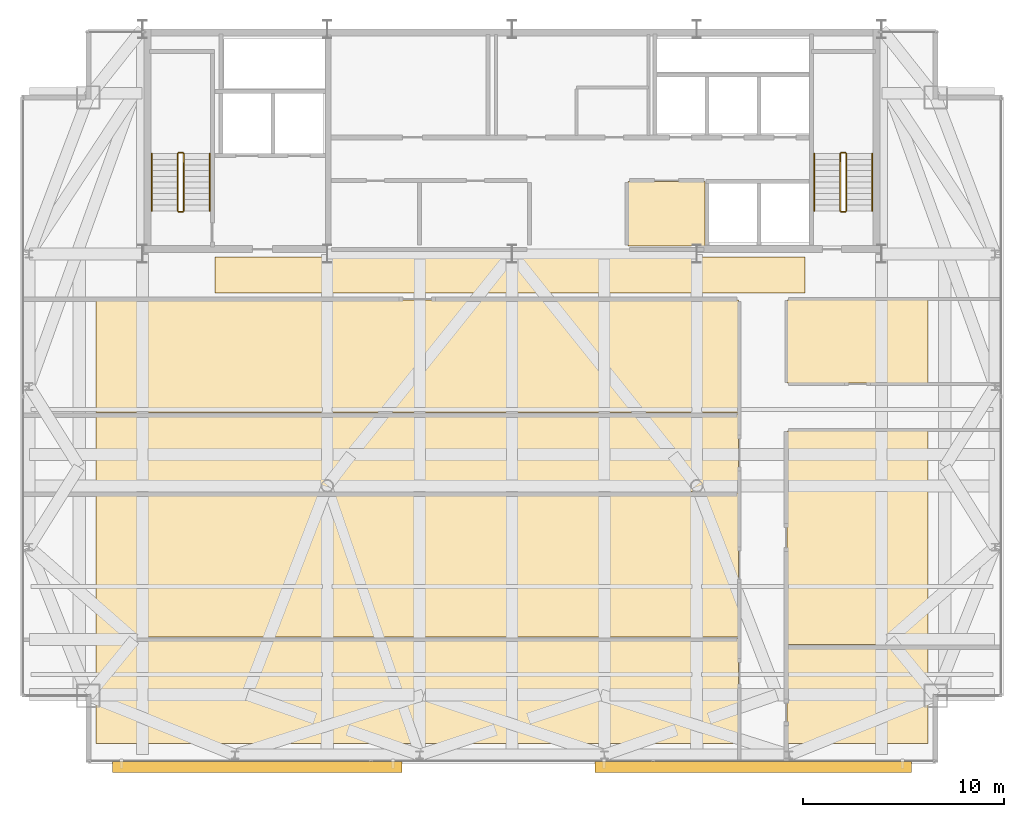
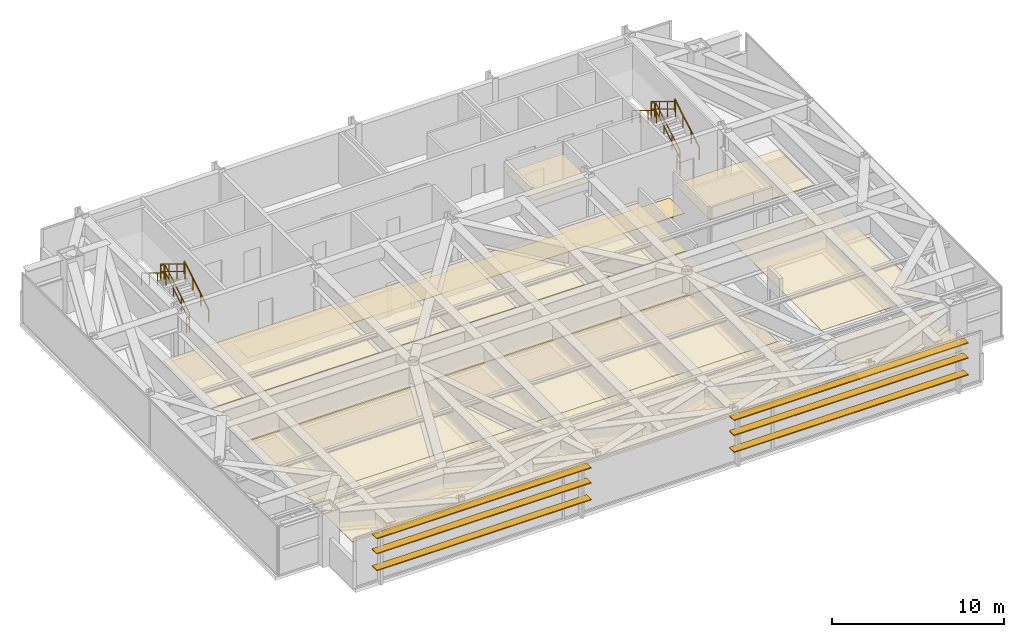
# One storey, part 23 of 23: 12 railings, 9 coverings, 6 shading devices.
"""IFC4 building model written with IfcOpenShell, lengths in metres."""

from ifc_helpers import new_model, si_unit, direction, frame, origin, origin_2d, place, context, subcontext, project, spatial, polyline, rectangle, outline, extrude, source, transform, mapped, material, layer, layer_set, type_object, type_shapes, element, save


model = new_model("IFC4")

# Units and contexts
model_context = context("Model", 3, precision=1e-05, world=origin(), true_north=direction((0.0, 1.0)))
body_context = subcontext(model_context, "Body", "Model", "MODEL_VIEW")
ifc_project = project(units=[si_unit("LENGTHUNIT", "METRE"), si_unit("AREAUNIT", "SQUARE_METRE"), si_unit("VOLUMEUNIT", "CUBIC_METRE"), si_unit("PLANEANGLEUNIT", "RADIAN"), si_unit("MASSUNIT", "GRAM", prefix="KILO")], contexts=[model_context])

# Site, building, storey
site_placement = place(None, origin())
site = spatial("IfcSite", under=ifc_project, at=site_placement, CompositionType="ELEMENT")
building_placement = place(site_placement, origin())
building = spatial("IfcBuilding", under=site, at=building_placement, Name="Varnel Quay Broadcast Tower", CompositionType="ELEMENT")
storey_placement = place(building_placement, frame((0.0, 0.0, 254.60009765625)))
storey = spatial("IfcBuildingStorey", under=building, at=storey_placement, Name="L63", CompositionType="ELEMENT", Elevation=254.60009765625)

# Coverings
ifc_material_1 = material(Name="Micro-Perforated Acoustic Ceiling Tile")
ifc_layer_1 = layer(ifc_material_1, 0.0400390625, Name="Micro-Perforated Acoustic Ceiling Tile")
ifc_layer_set_1 = layer_set([ifc_layer_1], Name="Micro-Perforated Acoustic Ceiling Tile")
covering_type_1 = type_object("IfcCoveringType", Name="Cov_AcousticCeiling", PredefinedType="CEILING", material=ifc_layer_set_1)
covering_1_placement = place(storey_placement, frame((0.0, 0.0, 2.579833984375)))
element("IfcCovering", 1, at=covering_1_placement, inside=storey, type_object=covering_type_1, Name="L63 Electrical Sub-Distribution Closet Acoustic Ceiling", PredefinedType="CEILING", context=body_context, shape_type="SweptSolid", body=[
    extrude(outline(polyline([(39.784912109375, 35.985107421875), (43.614990234375, 35.985107421875), (43.614990234375, 39.215087890625), (39.784912109375, 39.215087890625), (39.784912109375, 35.985107421875)])), origin(), (0.0, 0.0, 1.0), 0.0400390625),
])
covering_2_placement = place(storey_placement, frame((0.0, 0.0, 2.579833984375)))
element("IfcCovering", 2, at=covering_2_placement, inside=storey, type_object=covering_type_1, Name="L63 Broadcast Seminar Room 1 Acoustic Ceiling", PredefinedType="CEILING", context=body_context, shape_type="SweptSolid", body=[
    extrude(outline(polyline([(13.284912109375, 11.22509765625), (45.27490234375, 11.22509765625), (45.27490234375, 16.455078125), (13.284912109375, 16.455078125), (13.284912109375, 11.22509765625)])), origin(), (0.0, 0.0, 1.0), 0.0400390625),
])
covering_3_placement = place(storey_placement, frame((0.0, 0.0, 2.094970703125)))
element("IfcCovering", 3, at=covering_3_placement, inside=storey, type_object=covering_type_1, Name="L63 Podcast Recording Studio 2 Acoustic Ceiling", PredefinedType="CEILING", context=body_context, shape_type="SweptSolid", body=[
    extrude(outline(polyline([(13.284912109375, 16.52490234375), (45.27490234375, 16.52490234375), (45.27490234375, 23.695068359375), (13.284912109375, 23.695068359375), (13.284912109375, 16.52490234375)])), origin(), (0.0, 0.0, 1.0), 0.0400390625),
])
covering_4_placement = place(storey_placement, frame((0.0, 0.0, 2.094970703125)))
element("IfcCovering", 4, at=covering_4_placement, inside=storey, type_object=covering_type_1, Name="L63 Foley Sound Studio 3 Acoustic Ceiling", PredefinedType="CEILING", context=body_context, shape_type="SweptSolid", body=[
    extrude(outline(polyline([(13.284912109375, 23.764892578125), (45.27490234375, 23.764892578125), (45.27490234375, 27.625), (13.284912109375, 27.625), (13.284912109375, 23.764892578125)])), origin(), (0.0, 0.0, 1.0), 0.0400390625),
])
covering_5_placement = place(storey_placement, frame((0.0, 0.0, 2.094970703125)))
element("IfcCovering", 5, at=covering_5_placement, inside=storey, type_object=covering_type_1, Name="L63 Voice Booth 4 Acoustic Ceiling", PredefinedType="CEILING", context=body_context, shape_type="SweptSolid", body=[
    extrude(outline(polyline([(13.284912109375, 27.695068359375), (45.27490234375, 27.695068359375), (45.27490234375, 33.31494140625), (13.284912109375, 33.31494140625), (13.284912109375, 27.695068359375)])), origin(), (0.0, 0.0, 1.0), 0.0400390625),
])
covering_6_placement = place(storey_placement, frame((0.0, 0.0, 1.824951171875)))
element("IfcCovering", 6, at=covering_6_placement, inside=storey, type_object=covering_type_1, Name="L63 Audio Control Room 5 Acoustic Ceiling", PredefinedType="CEILING", context=body_context, shape_type="SweptSolid", body=[
    extrude(outline(polyline([(47.695068359375, 11.22509765625), (54.715087890625, 11.22509765625), (54.715087890625, 16.0849609375), (47.695068359375, 16.0849609375), (47.695068359375, 11.22509765625)])), origin(), (0.0, 0.0, 1.0), 0.0400390625),
])
covering_7_placement = place(storey_placement, frame((0.0, 0.0, 2.579833984375)))
element("IfcCovering", 7, at=covering_7_placement, inside=storey, type_object=covering_type_1, Name="L63 Talent Lounge 6 Acoustic Ceiling", PredefinedType="CEILING", context=body_context, shape_type="SweptSolid", body=[
    extrude(outline(polyline([(47.695068359375, 16.155029296875), (54.715087890625, 16.155029296875), (54.715087890625, 26.794921875), (47.695068359375, 26.794921875), (47.695068359375, 16.155029296875)])), origin(), (0.0, 0.0, 1.0), 0.0400390625),
])
covering_8_placement = place(storey_placement, frame((0.0, 0.0, 2.579833984375)))
element("IfcCovering", 8, at=covering_8_placement, inside=storey, type_object=covering_type_1, Name="L63 Pantry Niche 7 Acoustic Ceiling", PredefinedType="CEILING", context=body_context, shape_type="SweptSolid", body=[
    extrude(outline(polyline([(47.695068359375, 29.1650390625), (54.715087890625, 29.1650390625), (54.715087890625, 33.31494140625), (47.695068359375, 33.31494140625), (47.695068359375, 29.1650390625)])), origin(), (0.0, 0.0, 1.0), 0.0400390625),
])
ifc_material_2 = material(Name="Polished Terrazzo & Broadcast Raised Flooring")
ifc_layer_2 = layer(ifc_material_2, 0.0400390625, Name="Polished Terrazzo & Broadcast Raised Flooring")
ifc_layer_set_2 = layer_set([ifc_layer_2], Name="Polished Terrazzo & Broadcast Raised Flooring")
covering_type_2 = type_object("IfcCoveringType", Name="Cov_TerrazzoFloor", PredefinedType="FLOORING", material=ifc_layer_set_2)
covering_9_placement = place(storey_placement, origin())
element("IfcCovering", 9, at=covering_9_placement, inside=storey, type_object=covering_type_2, Name="L63 Corridor Terrazzo Flooring", PredefinedType="FLOORING", context=body_context, shape_type="SweptSolid", body=[
    extrude(outline(polyline([(19.199951171875, 33.64990234375), (48.60009765625, 33.64990234375), (48.60009765625, 35.449951171875), (19.199951171875, 35.449951171875), (19.199951171875, 33.64990234375)])), origin(), (0.0, 0.0, 1.0), 0.039794921875),
])

# Railings
ifc_material_3 = material(Name="Painted Steel Guard and Handrail CSA G40.21 350W", Category="steel")
railing_type_1 = type_object("IfcRailingType", Name="Rail_StairGuard1100", PredefinedType="GUARDRAIL", material=ifc_material_3)
railing_1_placement = place(storey_placement, frame((17.64990234375, 37.75, 0.172607421875)))
element("IfcRailing", 10, at=railing_1_placement, inside=storey, type_object=railing_type_1, Name="L63 ST-01 stair guard 1", PredefinedType="GUARDRAIL", context=body_context, shape_type="SweptSolid", body=[
    extrude(rectangle(XDim=0.048095703125, YDim=0.048095703125, at=origin_2d()), frame((0.0, 0.0, 1.076171875), z_axis=(0.0, 0.855202751398, 0.518293598264), x_axis=(-1.0, 0.0, 0.0)), (0.0, 0.0, 1.0), 3.332763671875),
    extrude(rectangle(XDim=0.048095703125, YDim=0.048095703125, at=origin_2d()), frame((0.0, 0.0, 0.550048828125), z_axis=(0.0, 0.855202751398, 0.518293598264), x_axis=(-1.0, 0.0, 0.0)), (0.0, 0.0, 1.0), 3.332763671875),
    extrude(rectangle(XDim=0.0419921875, YDim=0.0419921875, at=origin_2d()), origin(), (0.0, 0.0, 1.0), 1.052001953125),
    extrude(rectangle(XDim=0.0419921875, YDim=0.0419921875, at=origin_2d()), frame((0.0, 0.949951171875, 0.57568359375)), (0.0, 0.0, 1.0), 1.052001953125),
    extrude(rectangle(XDim=0.0419921875, YDim=0.0419921875, at=origin_2d()), frame((0.0, 1.900146484375, 1.151611328125)), (0.0, 0.0, 1.0), 1.052001953125),
    extrude(rectangle(XDim=0.0419921875, YDim=0.0419921875, at=origin_2d()), frame((0.0, 2.85009765625, 1.727294921875)), (0.0, 0.0, 1.0), 1.052001953125),
])
railing_2_placement = place(storey_placement, frame((17.60009765625, 40.64990234375, 1.89990234375)))
element("IfcRailing", 11, at=railing_2_placement, inside=storey, type_object=railing_type_1, Name="L63 ST-01 stair guard 2", PredefinedType="GUARDRAIL", context=body_context, shape_type="SweptSolid", body=[
    extrude(rectangle(XDim=0.048095703125, YDim=0.048095703125, at=origin_2d()), frame((0.0, 0.0, 1.076171875), z_axis=(-1.0, 0.0, 0.0), x_axis=(0.0, -1.0, 0.0)), (0.0, 0.0, 1.0), 0.2001953125),
    extrude(rectangle(XDim=0.048095703125, YDim=0.048095703125, at=origin_2d()), frame((0.0, 0.0, 0.550048828125), z_axis=(-1.0, 0.0, 0.0), x_axis=(0.0, -1.0, 0.0)), (0.0, 0.0, 1.0), 0.2001953125),
    extrude(rectangle(XDim=0.0419921875, YDim=0.0419921875, at=origin_2d()), origin(), (0.0, 0.0, 1.0), 1.052001953125),
    extrude(rectangle(XDim=0.0419921875, YDim=0.0419921875, at=origin_2d()), frame((-0.2001953125, 0.0, 0.0)), (0.0, 0.0, 1.0), 1.052001953125),
])
railing_3_placement = place(storey_placement, frame((17.35009765625, 40.60009765625, 2.072509765625)))
element("IfcRailing", 12, at=railing_3_placement, inside=storey, type_object=railing_type_1, Name="L63 ST-01 stair guard 3", PredefinedType="GUARDRAIL", context=body_context, shape_type="SweptSolid", body=[
    extrude(rectangle(XDim=0.048095703125, YDim=0.048095703125, at=origin_2d()), frame((0.0, 0.0, 1.076171875), z_axis=(0.0, -0.855202751398, 0.518293598264), x_axis=(1.0, 0.0, 0.0)), (0.0, 0.0, 1.0), 3.332763671875),
    extrude(rectangle(XDim=0.048095703125, YDim=0.048095703125, at=origin_2d()), frame((0.0, 0.0, 0.550048828125), z_axis=(0.0, -0.855202751398, 0.518293598264), x_axis=(1.0, 0.0, 0.0)), (0.0, 0.0, 1.0), 3.332763671875),
    extrude(rectangle(XDim=0.0419921875, YDim=0.0419921875, at=origin_2d()), origin(), (0.0, 0.0, 1.0), 1.052001953125),
    extrude(rectangle(XDim=0.0419921875, YDim=0.0419921875, at=origin_2d()), frame((0.0, -0.949951171875, 0.57568359375)), (0.0, 0.0, 1.0), 1.052001953125),
    extrude(rectangle(XDim=0.0419921875, YDim=0.0419921875, at=origin_2d()), frame((0.0, -1.900146484375, 1.151611328125)), (0.0, 0.0, 1.0), 1.052001953125),
    extrude(rectangle(XDim=0.0419921875, YDim=0.0419921875, at=origin_2d()), frame((0.0, -2.85009765625, 1.727294921875)), (0.0, 0.0, 1.0), 1.052001953125),
])
railing_4_placement = place(storey_placement, frame((17.60009765625, 37.699951171875, 0.0)))
element("IfcRailing", 13, at=railing_4_placement, inside=storey, type_object=railing_type_1, Name="L63 ST-01 stair guard 4", PredefinedType="GUARDRAIL", context=body_context, shape_type="SweptSolid", body=[
    extrude(rectangle(XDim=0.048095703125, YDim=0.048095703125, at=origin_2d()), frame((0.0, 0.0, 1.076171875), z_axis=(-1.0, 0.0, 0.0), x_axis=(0.0, -1.0, 0.0)), (0.0, 0.0, 1.0), 0.2001953125),
    extrude(rectangle(XDim=0.048095703125, YDim=0.048095703125, at=origin_2d()), frame((0.0, 0.0, 0.550048828125), z_axis=(-1.0, 0.0, 0.0), x_axis=(0.0, -1.0, 0.0)), (0.0, 0.0, 1.0), 0.2001953125),
    extrude(rectangle(XDim=0.0419921875, YDim=0.0419921875, at=origin_2d()), origin(), (0.0, 0.0, 1.0), 1.052001953125),
    extrude(rectangle(XDim=0.0419921875, YDim=0.0419921875, at=origin_2d()), frame((-0.2001953125, 0.0, 0.0)), (0.0, 0.0, 1.0), 1.052001953125),
])
railing_5_placement = place(storey_placement, frame((50.64990234375, 37.75, 0.172607421875)))
element("IfcRailing", 14, at=railing_5_placement, inside=storey, type_object=railing_type_1, Name="L63 ST-02 stair guard 1", PredefinedType="GUARDRAIL", context=body_context, shape_type="SweptSolid", body=[
    extrude(rectangle(XDim=0.048095703125, YDim=0.048095703125, at=origin_2d()), frame((0.0, 0.0, 1.076171875), z_axis=(0.0, 0.855202751398, 0.518293598264), x_axis=(-1.0, 0.0, 0.0)), (0.0, 0.0, 1.0), 3.332763671875),
    extrude(rectangle(XDim=0.048095703125, YDim=0.048095703125, at=origin_2d()), frame((0.0, 0.0, 0.550048828125), z_axis=(0.0, 0.855202751398, 0.518293598264), x_axis=(-1.0, 0.0, 0.0)), (0.0, 0.0, 1.0), 3.332763671875),
    extrude(rectangle(XDim=0.0419921875, YDim=0.0419921875, at=origin_2d()), origin(), (0.0, 0.0, 1.0), 1.052001953125),
    extrude(rectangle(XDim=0.0419921875, YDim=0.0419921875, at=origin_2d()), frame((0.0, 0.949951171875, 0.57568359375)), (0.0, 0.0, 1.0), 1.052001953125),
    extrude(rectangle(XDim=0.0419921875, YDim=0.0419921875, at=origin_2d()), frame((0.0, 1.900146484375, 1.151611328125)), (0.0, 0.0, 1.0), 1.052001953125),
    extrude(rectangle(XDim=0.0419921875, YDim=0.0419921875, at=origin_2d()), frame((0.0, 2.85009765625, 1.727294921875)), (0.0, 0.0, 1.0), 1.052001953125),
])
railing_6_placement = place(storey_placement, frame((50.60009765625, 40.64990234375, 1.89990234375)))
element("IfcRailing", 15, at=railing_6_placement, inside=storey, type_object=railing_type_1, Name="L63 ST-02 stair guard 2", PredefinedType="GUARDRAIL", context=body_context, shape_type="SweptSolid", body=[
    extrude(rectangle(XDim=0.048095703125, YDim=0.048095703125, at=origin_2d()), frame((0.0, 0.0, 1.076171875), z_axis=(-1.0, 0.0, 0.0), x_axis=(0.0, -1.0, 0.0)), (0.0, 0.0, 1.0), 0.2001953125),
    extrude(rectangle(XDim=0.048095703125, YDim=0.048095703125, at=origin_2d()), frame((0.0, 0.0, 0.550048828125), z_axis=(-1.0, 0.0, 0.0), x_axis=(0.0, -1.0, 0.0)), (0.0, 0.0, 1.0), 0.2001953125),
    extrude(rectangle(XDim=0.0419921875, YDim=0.0419921875, at=origin_2d()), origin(), (0.0, 0.0, 1.0), 1.052001953125),
    extrude(rectangle(XDim=0.0419921875, YDim=0.0419921875, at=origin_2d()), frame((-0.2001953125, 0.0, 0.0)), (0.0, 0.0, 1.0), 1.052001953125),
])
railing_7_placement = place(storey_placement, frame((50.35009765625, 40.60009765625, 2.072509765625)))
element("IfcRailing", 16, at=railing_7_placement, inside=storey, type_object=railing_type_1, Name="L63 ST-02 stair guard 3", PredefinedType="GUARDRAIL", context=body_context, shape_type="SweptSolid", body=[
    extrude(rectangle(XDim=0.048095703125, YDim=0.048095703125, at=origin_2d()), frame((0.0, 0.0, 1.076171875), z_axis=(0.0, -0.855202751398, 0.518293598264), x_axis=(1.0, 0.0, 0.0)), (0.0, 0.0, 1.0), 3.332763671875),
    extrude(rectangle(XDim=0.048095703125, YDim=0.048095703125, at=origin_2d()), frame((0.0, 0.0, 0.550048828125), z_axis=(0.0, -0.855202751398, 0.518293598264), x_axis=(1.0, 0.0, 0.0)), (0.0, 0.0, 1.0), 3.332763671875),
    extrude(rectangle(XDim=0.0419921875, YDim=0.0419921875, at=origin_2d()), origin(), (0.0, 0.0, 1.0), 1.052001953125),
    extrude(rectangle(XDim=0.0419921875, YDim=0.0419921875, at=origin_2d()), frame((0.0, -0.949951171875, 0.57568359375)), (0.0, 0.0, 1.0), 1.052001953125),
    extrude(rectangle(XDim=0.0419921875, YDim=0.0419921875, at=origin_2d()), frame((0.0, -1.900146484375, 1.151611328125)), (0.0, 0.0, 1.0), 1.052001953125),
    extrude(rectangle(XDim=0.0419921875, YDim=0.0419921875, at=origin_2d()), frame((0.0, -2.85009765625, 1.727294921875)), (0.0, 0.0, 1.0), 1.052001953125),
])
railing_8_placement = place(storey_placement, frame((50.60009765625, 37.699951171875, 0.0)))
element("IfcRailing", 17, at=railing_8_placement, inside=storey, type_object=railing_type_1, Name="L63 ST-02 stair guard 4", PredefinedType="GUARDRAIL", context=body_context, shape_type="SweptSolid", body=[
    extrude(rectangle(XDim=0.048095703125, YDim=0.048095703125, at=origin_2d()), frame((0.0, 0.0, 1.076171875), z_axis=(-1.0, 0.0, 0.0), x_axis=(0.0, -1.0, 0.0)), (0.0, 0.0, 1.0), 0.2001953125),
    extrude(rectangle(XDim=0.048095703125, YDim=0.048095703125, at=origin_2d()), frame((0.0, 0.0, 0.550048828125), z_axis=(-1.0, 0.0, 0.0), x_axis=(0.0, -1.0, 0.0)), (0.0, 0.0, 1.0), 0.2001953125),
    extrude(rectangle(XDim=0.0419921875, YDim=0.0419921875, at=origin_2d()), origin(), (0.0, 0.0, 1.0), 1.052001953125),
    extrude(rectangle(XDim=0.0419921875, YDim=0.0419921875, at=origin_2d()), frame((-0.2001953125, 0.0, 0.0)), (0.0, 0.0, 1.0), 1.052001953125),
])
railing_type_2 = type_object("IfcRailingType", Name="Rail_StairHandrail900", PredefinedType="HANDRAIL", material=ifc_material_3)
railing_9_placement = place(storey_placement, frame((18.949951171875, 37.75, 0.172607421875)))
element("IfcRailing", 18, at=railing_9_placement, inside=storey, type_object=railing_type_2, Name="L63 ST-01 stair handrail 1", PredefinedType="HANDRAIL", context=body_context, shape_type="SweptSolid", body=[
    extrude(rectangle(XDim=0.048095703125, YDim=0.048095703125, at=origin_2d()), frame((0.0, 0.0, 0.8759765625), z_axis=(0.0, 0.855202751398, 0.518293598264), x_axis=(-1.0, 0.0, 0.0)), (0.0, 0.0, 1.0), 3.332763671875),
    extrude(rectangle(XDim=0.0419921875, YDim=0.0419921875, at=origin_2d()), origin(), (0.0, 0.0, 1.0), 0.851806640625),
    extrude(rectangle(XDim=0.0419921875, YDim=0.0419921875, at=origin_2d()), frame((0.0, 0.949951171875, 0.57568359375)), (0.0, 0.0, 1.0), 0.851806640625),
    extrude(rectangle(XDim=0.0419921875, YDim=0.0419921875, at=origin_2d()), frame((0.0, 1.900146484375, 1.151611328125)), (0.0, 0.0, 1.0), 0.851806640625),
    extrude(rectangle(XDim=0.0419921875, YDim=0.0419921875, at=origin_2d()), frame((0.0, 2.85009765625, 1.727294921875)), (0.0, 0.0, 1.0), 0.851806640625),
])
railing_10_placement = place(storey_placement, frame((16.050048828125, 40.60009765625, 2.072509765625)))
element("IfcRailing", 19, at=railing_10_placement, inside=storey, type_object=railing_type_2, Name="L63 ST-01 stair handrail 2", PredefinedType="HANDRAIL", context=body_context, shape_type="SweptSolid", body=[
    extrude(rectangle(XDim=0.048095703125, YDim=0.048095703125, at=origin_2d()), frame((0.0, 0.0, 0.8759765625), z_axis=(0.0, -0.855202751398, 0.518293598264), x_axis=(1.0, 0.0, 0.0)), (0.0, 0.0, 1.0), 3.332763671875),
    extrude(rectangle(XDim=0.0419921875, YDim=0.0419921875, at=origin_2d()), origin(), (0.0, 0.0, 1.0), 0.851806640625),
    extrude(rectangle(XDim=0.0419921875, YDim=0.0419921875, at=origin_2d()), frame((0.0, -0.949951171875, 0.57568359375)), (0.0, 0.0, 1.0), 0.851806640625),
    extrude(rectangle(XDim=0.0419921875, YDim=0.0419921875, at=origin_2d()), frame((0.0, -1.900146484375, 1.151611328125)), (0.0, 0.0, 1.0), 0.851806640625),
    extrude(rectangle(XDim=0.0419921875, YDim=0.0419921875, at=origin_2d()), frame((0.0, -2.85009765625, 1.727294921875)), (0.0, 0.0, 1.0), 0.851806640625),
])
railing_11_placement = place(storey_placement, frame((51.949951171875, 37.75, 0.172607421875)))
element("IfcRailing", 20, at=railing_11_placement, inside=storey, type_object=railing_type_2, Name="L63 ST-02 stair handrail 1", PredefinedType="HANDRAIL", context=body_context, shape_type="SweptSolid", body=[
    extrude(rectangle(XDim=0.048095703125, YDim=0.048095703125, at=origin_2d()), frame((0.0, 0.0, 0.8759765625), z_axis=(0.0, 0.855202751398, 0.518293598264), x_axis=(-1.0, 0.0, 0.0)), (0.0, 0.0, 1.0), 3.332763671875),
    extrude(rectangle(XDim=0.0419921875, YDim=0.0419921875, at=origin_2d()), origin(), (0.0, 0.0, 1.0), 0.851806640625),
    extrude(rectangle(XDim=0.0419921875, YDim=0.0419921875, at=origin_2d()), frame((0.0, 0.949951171875, 0.57568359375)), (0.0, 0.0, 1.0), 0.851806640625),
    extrude(rectangle(XDim=0.0419921875, YDim=0.0419921875, at=origin_2d()), frame((0.0, 1.900146484375, 1.151611328125)), (0.0, 0.0, 1.0), 0.851806640625),
    extrude(rectangle(XDim=0.0419921875, YDim=0.0419921875, at=origin_2d()), frame((0.0, 2.85009765625, 1.727294921875)), (0.0, 0.0, 1.0), 0.851806640625),
])
railing_12_placement = place(storey_placement, frame((49.050048828125, 40.60009765625, 2.072509765625)))
element("IfcRailing", 21, at=railing_12_placement, inside=storey, type_object=railing_type_2, Name="L63 ST-02 stair handrail 2", PredefinedType="HANDRAIL", context=body_context, shape_type="SweptSolid", body=[
    extrude(rectangle(XDim=0.048095703125, YDim=0.048095703125, at=origin_2d()), frame((0.0, 0.0, 0.8759765625), z_axis=(0.0, -0.855202751398, 0.518293598264), x_axis=(1.0, 0.0, 0.0)), (0.0, 0.0, 1.0), 3.332763671875),
    extrude(rectangle(XDim=0.0419921875, YDim=0.0419921875, at=origin_2d()), origin(), (0.0, 0.0, 1.0), 0.851806640625),
    extrude(rectangle(XDim=0.0419921875, YDim=0.0419921875, at=origin_2d()), frame((0.0, -0.949951171875, 0.57568359375)), (0.0, 0.0, 1.0), 0.851806640625),
    extrude(rectangle(XDim=0.0419921875, YDim=0.0419921875, at=origin_2d()), frame((0.0, -1.900146484375, 1.151611328125)), (0.0, 0.0, 1.0), 0.851806640625),
    extrude(rectangle(XDim=0.0419921875, YDim=0.0419921875, at=origin_2d()), frame((0.0, -2.85009765625, 1.727294921875)), (0.0, 0.0, 1.0), 0.851806640625),
])

# Shading devices
ifc_material_4 = material(Name="Bronze-Terracotta Extruded Ceramic Blade", Category="masonry")
ifc_layer_3 = layer(ifc_material_4, 0.06494140625, Name="Bronze-Terracotta Extruded Ceramic Blade")
ifc_layer_set_3 = layer_set([ifc_layer_3], Name="Bronze-Terracotta Extruded Ceramic Blade")
shading_device_type = type_object("IfcShadingDeviceType", Name="Shade_LouvreBlade550", PredefinedType="JALOUSIE", material=ifc_layer_set_3)
shared_shape_1 = source(origin(), body_context, "Body", "SweptSolid", [
    extrude(rectangle(XDim=15.76904296875, YDim=0.550048828125, at=origin_2d()), origin(), (0.0, 0.0, 1.0), 0.06494140625),
])
for number, where, z_axis, x_axis, name in (
    (22, (46.01611328125, 10.06005859375, 1.117431640625), (0.0, 0.0, 1.0), (1.0, 0.0, 0.0), "L63 Lobe 2 Horizontal Louvre Blade 1"),
    (23, (46.01611328125, 10.06005859375, 2.3173828125), (0.0, 0.0, 1.0), (1.0, 0.0, 0.0), "L63 Lobe 2 Horizontal Louvre Blade 2"),
    (24, (46.01611328125, 10.06005859375, 3.387451171875), (0.0, 0.0, 1.0), (1.0, 0.0, 0.0), "L63 Lobe 2 Horizontal Louvre Blade 3"),
):
    element("IfcShadingDevice", number, at=place(storey_placement, frame(where, z_axis=z_axis, x_axis=x_axis)), inside=storey, type_object=shading_device_type, Name=name, PredefinedType="JALOUSIE", context=body_context, shape_type="MappedRepresentation", body=[
        mapped(shared_shape_1, transform((0.0, 0.0, 0.0), x_axis=(1.0, 0.0, 0.0), y_axis=(0.0, 1.0, 0.0), z_axis=(0.0, 0.0, 1.0), scale=1.0)),
    ])
shared_shape_2 = source(origin(), body_context, "Body", "SweptSolid", [
    extrude(rectangle(XDim=14.430908203125, YDim=0.550048828125, at=origin_2d()), origin(), (0.0, 0.0, 1.0), 0.06494140625),
])
type_shapes(shading_device_type, [shared_shape_1, shared_shape_2])
for number, where, z_axis, x_axis, name in (
    (25, (21.31591796875, 10.06005859375, 1.117431640625), (0.0, 0.0, 1.0), (1.0, 0.0, 0.0), "L63 Lobe 1 Horizontal Louvre Blade 1"),
    (26, (21.31591796875, 10.06005859375, 2.3173828125), (0.0, 0.0, 1.0), (1.0, 0.0, 0.0), "L63 Lobe 1 Horizontal Louvre Blade 2"),
    (27, (21.31591796875, 10.06005859375, 3.387451171875), (0.0, 0.0, 1.0), (1.0, 0.0, 0.0), "L63 Lobe 1 Horizontal Louvre Blade 3"),
):
    element("IfcShadingDevice", number, at=place(storey_placement, frame(where, z_axis=z_axis, x_axis=x_axis)), inside=storey, type_object=shading_device_type, Name=name, PredefinedType="JALOUSIE", context=body_context, shape_type="MappedRepresentation", body=[
        mapped(shared_shape_2, transform((0.0, 0.0, 0.0), x_axis=(1.0, 0.0, 0.0), y_axis=(0.0, 1.0, 0.0), z_axis=(0.0, 0.0, 1.0), scale=1.0)),
    ])

save(model, "model.ifc")
